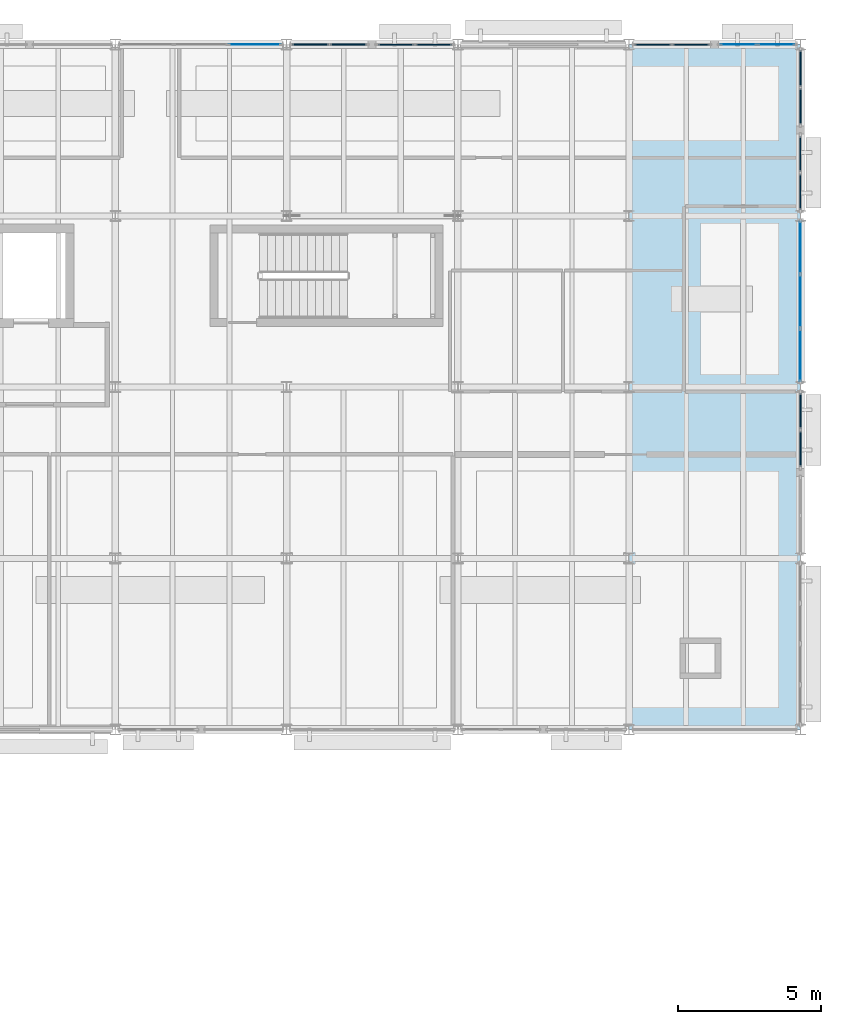
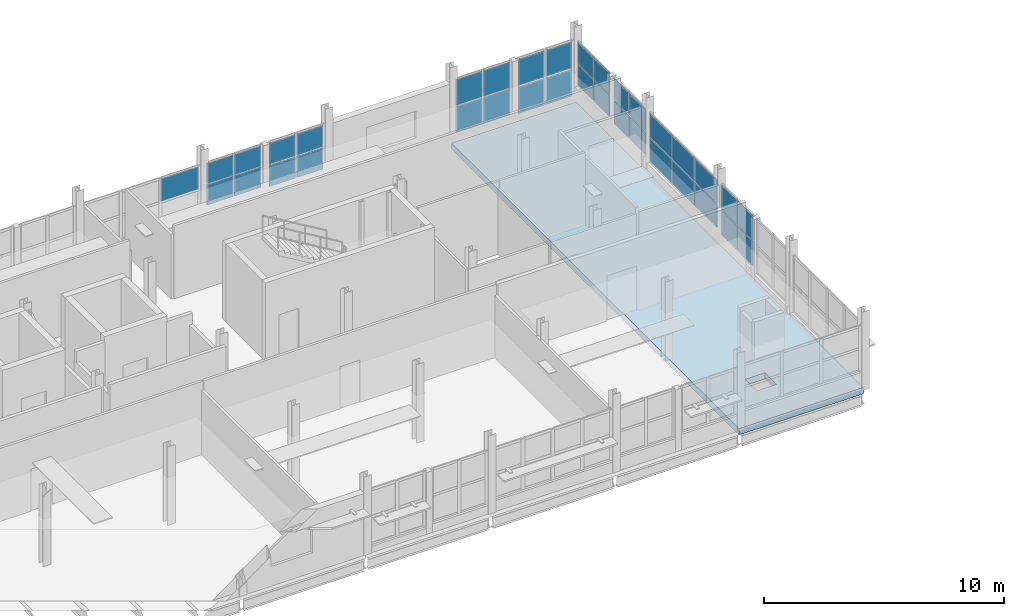
# One storey, part 51 of 92: 35 plates, 1 slab, 9 elements without a shape of their own.
"""IFC4 building model written with IfcOpenShell, lengths in metres."""

from ifc_helpers import new_model, si_unit, direction, frame, origin, origin_2d, place, context, subcontext, project, spatial, polyline, rectangle, outline, extrude, material, layer, layer_set, type_object, element, aggregate, save


model = new_model("IFC4")

# Units and contexts
model_context = context("Model", 3, precision=1e-05, world=origin(), true_north=direction((0.0, 1.0)))
body_context = subcontext(model_context, "Body", "Model", "MODEL_VIEW")
ifc_project = project(units=[si_unit("LENGTHUNIT", "METRE"), si_unit("AREAUNIT", "SQUARE_METRE"), si_unit("VOLUMEUNIT", "CUBIC_METRE"), si_unit("PLANEANGLEUNIT", "RADIAN"), si_unit("MASSUNIT", "GRAM", prefix="KILO")], contexts=[model_context])

# Site, building, storey
site_placement = place(None, origin())
site = spatial("IfcSite", under=ifc_project, at=site_placement, CompositionType="ELEMENT")
building_placement = place(site_placement, origin())
building = spatial("IfcBuilding", under=site, at=building_placement, Name="Siltcreek Boulevard Central Fire Station", CompositionType="ELEMENT")
storey_placement = place(building_placement, frame((0.0, 0.0, 6.0)))
storey = spatial("IfcBuildingStorey", under=building, at=storey_placement, Name="L02", CompositionType="ELEMENT", Elevation=6.0)

# Curtain wall, plate
ifc_material_1 = material(Name="Anodized aluminum and low-E insulated glazing", Category="aluminium")
curtain_wall_type_1 = type_object("IfcCurtainWallType", Name="CW_SYS_16", PredefinedType="USERDEFINED", material=ifc_material_1)
curtain_wall_1_placement = place(storey_placement, origin())
curtain_wall_1 = element("IfcCurtainWall", 1, at=curtain_wall_1_placement, inside=storey, type_object=curtain_wall_type_1, Name="L02 V5 unitised curtain wall CW-135", ObjectType="CURTAIN WALL", PredefinedType="USERDEFINED")
ifc_material_2 = material(Name="Low-E double insulated glass unit", Category="glass")
ifc_layer_1 = layer(ifc_material_2, 0.028076171875, Name="Low-E double insulated glass unit")
ifc_layer_set_1 = layer_set([ifc_layer_1], Name="Low-E double insulated glass unit")
plate_type_1 = type_object("IfcPlateType", Name="CWP_GLZ_1", PredefinedType="CURTAIN_PANEL", material=ifc_layer_set_1)
plate_1_placement = place(storey_placement, frame((147.08837890625, 112.199951171875, 1.946533203125), z_axis=(0.0, 0.0, 1.0), x_axis=(-1.0, 0.0, 0.0)))
plate_1 = element("IfcPlate", 2, at=plate_1_placement, type_object=plate_type_1, Name="CW-135 panel 1.2", PredefinedType="CURTAIN_PANEL", context=body_context, shape_type="SweptSolid", body=[
    extrude(rectangle(XDim=1.813232421875, YDim=0.028076171875, at=origin_2d()), origin(), (0.0, 0.0, 1.0), 1.146484375),
])
aggregate(curtain_wall_1, [plate_1])

# Curtain wall, plates
curtain_wall_type_2 = type_object("IfcCurtainWallType", Name="CW_SYS_19", PredefinedType="USERDEFINED", material=ifc_material_1)
curtain_wall_2_placement = place(storey_placement, origin())
curtain_wall_2 = element("IfcCurtainWall", 3, at=curtain_wall_2_placement, inside=storey, type_object=curtain_wall_type_2, Name="L02 V5 unitised curtain wall CW-138", ObjectType="CURTAIN WALL", PredefinedType="USERDEFINED")
plate_2_placement = place(storey_placement, frame((165.360107421875, 112.199951171875, 0.385009765625), z_axis=(0.0, 0.0, 1.0), x_axis=(-1.0, 0.0, 0.0)))
plate_2 = element("IfcPlate", 4, at=plate_2_placement, type_object=plate_type_1, Name="CW-138 panel 1.1", PredefinedType="CURTAIN_PANEL", context=body_context, shape_type="SweptSolid", body=[
    extrude(rectangle(XDim=1.260009765625, YDim=0.028076171875, at=origin_2d()), origin(), (0.0, 0.0, 1.0), 1.35400390625),
])
plate_3_placement = place(storey_placement, frame((165.360107421875, 112.199951171875, 1.803955078125), z_axis=(0.0, 0.0, 1.0), x_axis=(-1.0, 0.0, 0.0)))
plate_3 = element("IfcPlate", 5, at=plate_3_placement, type_object=plate_type_1, Name="CW-138 panel 1.2", PredefinedType="CURTAIN_PANEL", context=body_context, shape_type="SweptSolid", body=[
    extrude(rectangle(XDim=1.260009765625, YDim=0.028076171875, at=origin_2d()), origin(), (0.0, 0.0, 1.0), 1.35400390625),
])
plate_4_placement = place(storey_placement, frame((164.034912109375, 112.199951171875, 0.385009765625), z_axis=(0.0, 0.0, 1.0), x_axis=(-1.0, 0.0, 0.0)))
plate_4 = element("IfcPlate", 6, at=plate_4_placement, type_object=plate_type_1, Name="CW-138 panel 2.1", PredefinedType="CURTAIN_PANEL", context=body_context, shape_type="SweptSolid", body=[
    extrude(rectangle(XDim=1.260009765625, YDim=0.028076171875, at=origin_2d()), origin(), (0.0, 0.0, 1.0), 1.35400390625),
])
plate_5_placement = place(storey_placement, frame((164.034912109375, 112.199951171875, 1.803955078125), z_axis=(0.0, 0.0, 1.0), x_axis=(-1.0, 0.0, 0.0)))
plate_5 = element("IfcPlate", 7, at=plate_5_placement, type_object=plate_type_1, Name="CW-138 panel 2.2", PredefinedType="CURTAIN_PANEL", context=body_context, shape_type="SweptSolid", body=[
    extrude(rectangle(XDim=1.260009765625, YDim=0.028076171875, at=origin_2d()), origin(), (0.0, 0.0, 1.0), 1.35400390625),
])
aggregate(curtain_wall_2, [plate_2, plate_3, plate_4, plate_5])

curtain_wall_type_3 = type_object("IfcCurtainWallType", Name="CW_SYS_28", PredefinedType="USERDEFINED", material=ifc_material_1)
curtain_wall_3_placement = place(storey_placement, origin())
curtain_wall_3 = element("IfcCurtainWall", 8, at=curtain_wall_3_placement, inside=storey, type_object=curtain_wall_type_3, Name="L02 V5 unitised curtain wall CW-147", ObjectType="CURTAIN WALL", PredefinedType="USERDEFINED")
plate_6_placement = place(storey_placement, frame((166.199951171875, 101.311767578125, 0.739990234375), z_axis=(0.0, 0.0, 1.0), x_axis=(0.0, 1.0, 0.0)))
plate_6 = element("IfcPlate", 9, at=plate_6_placement, type_object=plate_type_1, Name="CW-147 panel 1.1", PredefinedType="CURTAIN_PANEL", context=body_context, shape_type="SweptSolid", body=[
    extrude(rectangle(XDim=1.813232421875, YDim=0.028076171875, at=origin_2d()), origin(), (0.0, 0.0, 1.0), 1.18359375),
])
plate_7_placement = place(storey_placement, frame((166.199951171875, 101.311767578125, 1.9833984375), z_axis=(0.0, 0.0, 1.0), x_axis=(0.0, 1.0, 0.0)))
plate_7 = element("IfcPlate", 10, at=plate_7_placement, type_object=plate_type_1, Name="CW-147 panel 1.2", PredefinedType="CURTAIN_PANEL", context=body_context, shape_type="SweptSolid", body=[
    extrude(rectangle(XDim=1.813232421875, YDim=0.028076171875, at=origin_2d()), origin(), (0.0, 0.0, 1.0), 1.18359375),
])
plate_8_placement = place(storey_placement, frame((166.199951171875, 103.199951171875, 0.739990234375), z_axis=(0.0, 0.0, 1.0), x_axis=(0.0, 1.0, 0.0)))
plate_8 = element("IfcPlate", 11, at=plate_8_placement, type_object=plate_type_1, Name="CW-147 panel 2.1", PredefinedType="CURTAIN_PANEL", context=body_context, shape_type="SweptSolid", body=[
    extrude(rectangle(XDim=1.84326171875, YDim=0.028076171875, at=origin_2d()), origin(), (0.0, 0.0, 1.0), 1.18359375),
])
plate_9_placement = place(storey_placement, frame((166.199951171875, 103.199951171875, 1.9833984375), z_axis=(0.0, 0.0, 1.0), x_axis=(0.0, 1.0, 0.0)))
plate_9 = element("IfcPlate", 12, at=plate_9_placement, type_object=plate_type_1, Name="CW-147 panel 2.2", PredefinedType="CURTAIN_PANEL", context=body_context, shape_type="SweptSolid", body=[
    extrude(rectangle(XDim=1.84326171875, YDim=0.028076171875, at=origin_2d()), origin(), (0.0, 0.0, 1.0), 1.18359375),
])
plate_10_placement = place(storey_placement, frame((166.199951171875, 105.08837890625, 0.739990234375), z_axis=(0.0, 0.0, 1.0), x_axis=(0.0, 1.0, 0.0)))
plate_10 = element("IfcPlate", 13, at=plate_10_placement, type_object=plate_type_1, Name="CW-147 panel 3.1", PredefinedType="CURTAIN_PANEL", context=body_context, shape_type="SweptSolid", body=[
    extrude(rectangle(XDim=1.813232421875, YDim=0.028076171875, at=origin_2d()), origin(), (0.0, 0.0, 1.0), 1.18359375),
])
plate_11_placement = place(storey_placement, frame((166.199951171875, 105.08837890625, 1.9833984375), z_axis=(0.0, 0.0, 1.0), x_axis=(0.0, 1.0, 0.0)))
plate_11 = element("IfcPlate", 14, at=plate_11_placement, type_object=plate_type_1, Name="CW-147 panel 3.2", PredefinedType="CURTAIN_PANEL", context=body_context, shape_type="SweptSolid", body=[
    extrude(rectangle(XDim=1.813232421875, YDim=0.028076171875, at=origin_2d()), origin(), (0.0, 0.0, 1.0), 1.18359375),
])
aggregate(curtain_wall_3, [plate_6, plate_7, plate_8, plate_9, plate_10, plate_11])

curtain_wall_type_4 = type_object("IfcCurtainWallType", Name="CW_SYS_17", PredefinedType="USERDEFINED", material=ifc_material_1)
curtain_wall_4_placement = place(storey_placement, origin())
curtain_wall_4 = element("IfcCurtainWall", 15, at=curtain_wall_4_placement, inside=storey, type_object=curtain_wall_type_4, Name="L02 V5 unitised curtain wall CW-136", ObjectType="CURTAIN WALL", PredefinedType="USERDEFINED")
ifc_layer_2 = layer(ifc_material_2, 0.0380859375, Name="Low-E double insulated glass unit")
ifc_layer_set_2 = layer_set([ifc_layer_2], Name="Low-E double insulated glass unit")
plate_type_2 = type_object("IfcPlateType", Name="CWP_GLZ_2", PredefinedType="CURTAIN_PANEL", material=ifc_layer_set_2)
plate_12_placement = place(storey_placement, frame((153.360107421875, 112.199951171875, 0.864990234375), z_axis=(0.0, 0.0, 1.0), x_axis=(-1.0, 0.0, 0.0)))
plate_12 = element("IfcPlate", 16, at=plate_12_placement, type_object=plate_type_2, Name="CW-136 panel 1.1", PredefinedType="CURTAIN_PANEL", context=body_context, shape_type="SweptSolid", body=[
    extrude(rectangle(XDim=1.260009765625, YDim=0.0380859375, at=origin_2d()), origin(), (0.0, 0.0, 1.0), 1.0791015625),
])
plate_13_placement = place(storey_placement, frame((153.360107421875, 112.199951171875, 2.009033203125), z_axis=(0.0, 0.0, 1.0), x_axis=(-1.0, 0.0, 0.0)))
plate_13 = element("IfcPlate", 17, at=plate_13_placement, type_object=plate_type_2, Name="CW-136 panel 1.2", PredefinedType="CURTAIN_PANEL", context=body_context, shape_type="SweptSolid", body=[
    extrude(rectangle(XDim=1.260009765625, YDim=0.0380859375, at=origin_2d()), origin(), (0.0, 0.0, 1.0), 1.0791015625),
])
plate_14_placement = place(storey_placement, frame((152.034912109375, 112.199951171875, 0.864990234375), z_axis=(0.0, 0.0, 1.0), x_axis=(-1.0, 0.0, 0.0)))
plate_14 = element("IfcPlate", 18, at=plate_14_placement, type_object=plate_type_2, Name="CW-136 panel 2.1", PredefinedType="CURTAIN_PANEL", context=body_context, shape_type="SweptSolid", body=[
    extrude(rectangle(XDim=1.260009765625, YDim=0.0380859375, at=origin_2d()), origin(), (0.0, 0.0, 1.0), 1.0791015625),
])
plate_15_placement = place(storey_placement, frame((152.034912109375, 112.199951171875, 2.009033203125), z_axis=(0.0, 0.0, 1.0), x_axis=(-1.0, 0.0, 0.0)))
plate_15 = element("IfcPlate", 19, at=plate_15_placement, type_object=plate_type_2, Name="CW-136 panel 2.2", PredefinedType="CURTAIN_PANEL", context=body_context, shape_type="SweptSolid", body=[
    extrude(rectangle(XDim=1.260009765625, YDim=0.0380859375, at=origin_2d()), origin(), (0.0, 0.0, 1.0), 1.0791015625),
])
aggregate(curtain_wall_4, [plate_12, plate_13, plate_14, plate_15])

curtain_wall_type_5 = type_object("IfcCurtainWallType", Name="CW_SYS_20", PredefinedType="USERDEFINED", material=ifc_material_1)
curtain_wall_5_placement = place(storey_placement, origin())
curtain_wall_5 = element("IfcCurtainWall", 20, at=curtain_wall_5_placement, inside=storey, type_object=curtain_wall_type_5, Name="L02 V5 unitised curtain wall CW-139", ObjectType="CURTAIN WALL", PredefinedType="USERDEFINED")
plate_16_placement = place(storey_placement, frame((162.3662109375, 112.199951171875, 0.5), z_axis=(0.0, 0.0, 1.0), x_axis=(-1.0, 0.0, 0.0)))
plate_16 = element("IfcPlate", 21, at=plate_16_placement, type_object=plate_type_2, Name="CW-139 panel 1.1", PredefinedType="CURTAIN_PANEL", context=body_context, shape_type="SweptSolid", body=[
    extrude(rectangle(XDim=1.267578125, YDim=0.0380859375, at=origin_2d()), origin(), (0.0, 0.0, 1.0), 1.301513671875),
])
plate_17_placement = place(storey_placement, frame((162.3662109375, 112.199951171875, 1.861328125), z_axis=(0.0, 0.0, 1.0), x_axis=(-1.0, 0.0, 0.0)))
plate_17 = element("IfcPlate", 22, at=plate_17_placement, type_object=plate_type_2, Name="CW-139 panel 1.2", PredefinedType="CURTAIN_PANEL", context=body_context, shape_type="SweptSolid", body=[
    extrude(rectangle(XDim=1.267578125, YDim=0.0380859375, at=origin_2d()), origin(), (0.0, 0.0, 1.0), 1.301513671875),
])
plate_18_placement = place(storey_placement, frame((161.038818359375, 112.199951171875, 0.5), z_axis=(0.0, 0.0, 1.0), x_axis=(-1.0, 0.0, 0.0)))
plate_18 = element("IfcPlate", 23, at=plate_18_placement, type_object=plate_type_2, Name="CW-139 panel 2.1", PredefinedType="CURTAIN_PANEL", context=body_context, shape_type="SweptSolid", body=[
    extrude(rectangle(XDim=1.267578125, YDim=0.0380859375, at=origin_2d()), origin(), (0.0, 0.0, 1.0), 1.301513671875),
])
plate_19_placement = place(storey_placement, frame((161.038818359375, 112.199951171875, 1.861328125), z_axis=(0.0, 0.0, 1.0), x_axis=(-1.0, 0.0, 0.0)))
plate_19 = element("IfcPlate", 24, at=plate_19_placement, type_object=plate_type_2, Name="CW-139 panel 2.2", PredefinedType="CURTAIN_PANEL", context=body_context, shape_type="SweptSolid", body=[
    extrude(rectangle(XDim=1.267578125, YDim=0.0380859375, at=origin_2d()), origin(), (0.0, 0.0, 1.0), 1.301513671875),
])
aggregate(curtain_wall_5, [plate_16, plate_17, plate_18, plate_19])

curtain_wall_type_6 = type_object("IfcCurtainWallType", Name="CW_SYS_29", PredefinedType="USERDEFINED", material=ifc_material_1)
curtain_wall_6_placement = place(storey_placement, origin())
curtain_wall_6 = element("IfcCurtainWall", 25, at=curtain_wall_6_placement, inside=storey, type_object=curtain_wall_type_6, Name="L02 V5 unitised curtain wall CW-148", ObjectType="CURTAIN WALL", PredefinedType="USERDEFINED")
plate_20_placement = place(storey_placement, frame((166.199951171875, 107.0400390625, 0.865234375), z_axis=(0.0, 0.0, 1.0), x_axis=(0.0, 1.0, 0.0)))
plate_20 = element("IfcPlate", 26, at=plate_20_placement, type_object=plate_type_2, Name="CW-148 panel 1.1", PredefinedType="CURTAIN_PANEL", context=body_context, shape_type="SweptSolid", body=[
    extrude(rectangle(XDim=1.260009765625, YDim=0.0380859375, at=origin_2d()), origin(), (0.0, 0.0, 1.0), 1.115966796875),
])
plate_21_placement = place(storey_placement, frame((166.199951171875, 107.0400390625, 2.0458984375), z_axis=(0.0, 0.0, 1.0), x_axis=(0.0, 1.0, 0.0)))
plate_21 = element("IfcPlate", 27, at=plate_21_placement, type_object=plate_type_2, Name="CW-148 panel 1.2", PredefinedType="CURTAIN_PANEL", context=body_context, shape_type="SweptSolid", body=[
    extrude(rectangle(XDim=1.260009765625, YDim=0.0380859375, at=origin_2d()), origin(), (0.0, 0.0, 1.0), 1.115966796875),
])
plate_22_placement = place(storey_placement, frame((166.199951171875, 108.364990234375, 0.865234375), z_axis=(0.0, 0.0, 1.0), x_axis=(0.0, 1.0, 0.0)))
plate_22 = element("IfcPlate", 28, at=plate_22_placement, type_object=plate_type_2, Name="CW-148 panel 2.1", PredefinedType="CURTAIN_PANEL", context=body_context, shape_type="SweptSolid", body=[
    extrude(rectangle(XDim=1.260009765625, YDim=0.0380859375, at=origin_2d()), origin(), (0.0, 0.0, 1.0), 1.115966796875),
])
plate_23_placement = place(storey_placement, frame((166.199951171875, 108.364990234375, 2.0458984375), z_axis=(0.0, 0.0, 1.0), x_axis=(0.0, 1.0, 0.0)))
plate_23 = element("IfcPlate", 29, at=plate_23_placement, type_object=plate_type_2, Name="CW-148 panel 2.2", PredefinedType="CURTAIN_PANEL", context=body_context, shape_type="SweptSolid", body=[
    extrude(rectangle(XDim=1.260009765625, YDim=0.0380859375, at=origin_2d()), origin(), (0.0, 0.0, 1.0), 1.115966796875),
])
aggregate(curtain_wall_6, [plate_20, plate_21, plate_22, plate_23])

curtain_wall_type_7 = type_object("IfcCurtainWallType", Name="CW_SYS_18", PredefinedType="USERDEFINED", material=ifc_material_1)
curtain_wall_7_placement = place(storey_placement, origin())
curtain_wall_7 = element("IfcCurtainWall", 30, at=curtain_wall_7_placement, inside=storey, type_object=curtain_wall_type_7, Name="L02 V5 unitised curtain wall CW-137", ObjectType="CURTAIN WALL", PredefinedType="USERDEFINED")
ifc_layer_3 = layer(ifc_material_2, 0.048095703125, Name="Low-E double insulated glass unit")
ifc_layer_set_3 = layer_set([ifc_layer_3], Name="Low-E double insulated glass unit")
plate_type_3 = type_object("IfcPlateType", Name="CWP_GLZ_3", PredefinedType="CURTAIN_PANEL", material=ifc_layer_set_3)
plate_24_placement = place(storey_placement, frame((150.3662109375, 112.199951171875, 0.97998046875), z_axis=(0.0, 0.0, 1.0), x_axis=(-1.0, 0.0, 0.0)))
plate_24 = element("IfcPlate", 31, at=plate_24_placement, type_object=plate_type_3, Name="CW-137 panel 1.1", PredefinedType="CURTAIN_PANEL", context=body_context, shape_type="SweptSolid", body=[
    extrude(rectangle(XDim=1.267578125, YDim=0.048095703125, at=origin_2d()), origin(), (0.0, 0.0, 1.0), 1.026611328125),
])
plate_25_placement = place(storey_placement, frame((150.3662109375, 112.199951171875, 2.06640625), z_axis=(0.0, 0.0, 1.0), x_axis=(-1.0, 0.0, 0.0)))
plate_25 = element("IfcPlate", 32, at=plate_25_placement, type_object=plate_type_3, Name="CW-137 panel 1.2", PredefinedType="CURTAIN_PANEL", context=body_context, shape_type="SweptSolid", body=[
    extrude(rectangle(XDim=1.267578125, YDim=0.048095703125, at=origin_2d()), origin(), (0.0, 0.0, 1.0), 1.026611328125),
])
plate_26_placement = place(storey_placement, frame((149.038818359375, 112.199951171875, 0.97998046875), z_axis=(0.0, 0.0, 1.0), x_axis=(-1.0, 0.0, 0.0)))
plate_26 = element("IfcPlate", 33, at=plate_26_placement, type_object=plate_type_3, Name="CW-137 panel 2.1", PredefinedType="CURTAIN_PANEL", context=body_context, shape_type="SweptSolid", body=[
    extrude(rectangle(XDim=1.267578125, YDim=0.048095703125, at=origin_2d()), origin(), (0.0, 0.0, 1.0), 1.026611328125),
])
plate_27_placement = place(storey_placement, frame((149.038818359375, 112.199951171875, 2.06640625), z_axis=(0.0, 0.0, 1.0), x_axis=(-1.0, 0.0, 0.0)))
plate_27 = element("IfcPlate", 34, at=plate_27_placement, type_object=plate_type_3, Name="CW-137 panel 2.2", PredefinedType="CURTAIN_PANEL", context=body_context, shape_type="SweptSolid", body=[
    extrude(rectangle(XDim=1.267578125, YDim=0.048095703125, at=origin_2d()), origin(), (0.0, 0.0, 1.0), 1.026611328125),
])
aggregate(curtain_wall_7, [plate_24, plate_25, plate_26, plate_27])

curtain_wall_type_8 = type_object("IfcCurtainWallType", Name="CW_SYS_27", PredefinedType="USERDEFINED", material=ifc_material_1)
curtain_wall_8_placement = place(storey_placement, origin())
curtain_wall_8 = element("IfcCurtainWall", 35, at=curtain_wall_8_placement, inside=storey, type_object=curtain_wall_type_8, Name="L02 V5 unitised curtain wall CW-146", ObjectType="CURTAIN WALL", PredefinedType="USERDEFINED")
plate_28_placement = place(storey_placement, frame((166.199951171875, 98.034912109375, 0.625), z_axis=(0.0, 0.0, 1.0), x_axis=(0.0, 1.0, 0.0)))
plate_28 = element("IfcPlate", 36, at=plate_28_placement, type_object=plate_type_3, Name="CW-146 panel 1.1", PredefinedType="CURTAIN_PANEL", context=body_context, shape_type="SweptSolid", body=[
    extrude(rectangle(XDim=1.260009765625, YDim=0.048095703125, at=origin_2d()), origin(), (0.0, 0.0, 1.0), 1.236083984375),
])
plate_29_placement = place(storey_placement, frame((166.199951171875, 98.034912109375, 1.92578125), z_axis=(0.0, 0.0, 1.0), x_axis=(0.0, 1.0, 0.0)))
plate_29 = element("IfcPlate", 37, at=plate_29_placement, type_object=plate_type_3, Name="CW-146 panel 1.2", PredefinedType="CURTAIN_PANEL", context=body_context, shape_type="SweptSolid", body=[
    extrude(rectangle(XDim=1.260009765625, YDim=0.048095703125, at=origin_2d()), origin(), (0.0, 0.0, 1.0), 1.236083984375),
])
plate_30_placement = place(storey_placement, frame((166.199951171875, 99.360107421875, 0.625), z_axis=(0.0, 0.0, 1.0), x_axis=(0.0, 1.0, 0.0)))
plate_30 = element("IfcPlate", 38, at=plate_30_placement, type_object=plate_type_3, Name="CW-146 panel 2.1", PredefinedType="CURTAIN_PANEL", context=body_context, shape_type="SweptSolid", body=[
    extrude(rectangle(XDim=1.260009765625, YDim=0.048095703125, at=origin_2d()), origin(), (0.0, 0.0, 1.0), 1.236083984375),
])
plate_31_placement = place(storey_placement, frame((166.199951171875, 99.360107421875, 1.92578125), z_axis=(0.0, 0.0, 1.0), x_axis=(0.0, 1.0, 0.0)))
plate_31 = element("IfcPlate", 39, at=plate_31_placement, type_object=plate_type_3, Name="CW-146 panel 2.2", PredefinedType="CURTAIN_PANEL", context=body_context, shape_type="SweptSolid", body=[
    extrude(rectangle(XDim=1.260009765625, YDim=0.048095703125, at=origin_2d()), origin(), (0.0, 0.0, 1.0), 1.236083984375),
])
aggregate(curtain_wall_8, [plate_28, plate_29, plate_30, plate_31])

curtain_wall_type_9 = type_object("IfcCurtainWallType", Name="CW_SYS_30", PredefinedType="USERDEFINED", material=ifc_material_1)
curtain_wall_9_placement = place(storey_placement, origin())
curtain_wall_9 = element("IfcCurtainWall", 40, at=curtain_wall_9_placement, inside=storey, type_object=curtain_wall_type_9, Name="L02 V5 unitised curtain wall CW-149", ObjectType="CURTAIN WALL", PredefinedType="USERDEFINED")
plate_32_placement = place(storey_placement, frame((166.199951171875, 110.03369140625, 0.97998046875), z_axis=(0.0, 0.0, 1.0), x_axis=(0.0, 1.0, 0.0)))
plate_32 = element("IfcPlate", 41, at=plate_32_placement, type_object=plate_type_3, Name="CW-149 panel 1.1", PredefinedType="CURTAIN_PANEL", context=body_context, shape_type="SweptSolid", body=[
    extrude(rectangle(XDim=1.267578125, YDim=0.048095703125, at=origin_2d()), origin(), (0.0, 0.0, 1.0), 1.0634765625),
])
plate_33_placement = place(storey_placement, frame((166.199951171875, 110.03369140625, 2.103515625), z_axis=(0.0, 0.0, 1.0), x_axis=(0.0, 1.0, 0.0)))
plate_33 = element("IfcPlate", 42, at=plate_33_placement, type_object=plate_type_3, Name="CW-149 panel 1.2", PredefinedType="CURTAIN_PANEL", context=body_context, shape_type="SweptSolid", body=[
    extrude(rectangle(XDim=1.267578125, YDim=0.048095703125, at=origin_2d()), origin(), (0.0, 0.0, 1.0), 1.0634765625),
])
plate_34_placement = place(storey_placement, frame((166.199951171875, 111.361328125, 0.97998046875), z_axis=(0.0, 0.0, 1.0), x_axis=(0.0, 1.0, 0.0)))
plate_34 = element("IfcPlate", 43, at=plate_34_placement, type_object=plate_type_3, Name="CW-149 panel 2.1", PredefinedType="CURTAIN_PANEL", context=body_context, shape_type="SweptSolid", body=[
    extrude(rectangle(XDim=1.267578125, YDim=0.048095703125, at=origin_2d()), origin(), (0.0, 0.0, 1.0), 1.0634765625),
])
plate_35_placement = place(storey_placement, frame((166.199951171875, 111.361328125, 2.103515625), z_axis=(0.0, 0.0, 1.0), x_axis=(0.0, 1.0, 0.0)))
plate_35 = element("IfcPlate", 44, at=plate_35_placement, type_object=plate_type_3, Name="CW-149 panel 2.2", PredefinedType="CURTAIN_PANEL", context=body_context, shape_type="SweptSolid", body=[
    extrude(rectangle(XDim=1.267578125, YDim=0.048095703125, at=origin_2d()), origin(), (0.0, 0.0, 1.0), 1.0634765625),
])
aggregate(curtain_wall_9, [plate_32, plate_33, plate_34, plate_35])

# Slab
ifc_material_3 = material(Name="Concrete C35/45", Category="concrete")
ifc_layer_4 = layer(ifc_material_3, 0.320068359375, Name="Concrete C35/45")
ifc_layer_set_4 = layer_set([ifc_layer_4], Name="Concrete C35/45")
slab_type = type_object("IfcSlabType", Name="SL_FLR320", PredefinedType="FLOOR", material=ifc_layer_set_4)
slab_placement = place(storey_placement, frame((0.0, 0.0, -0.320068359375)))
element("IfcSlab", 45, at=slab_placement, inside=storey, type_object=slab_type, Name="L02 V5 structural floor slab SL-030", PredefinedType="FLOOR", context=body_context, shape_type="SweptSolid", body=[
    extrude(outline(polyline([(166.199951171875, 112.199951171875), (166.199951171875, 88.199951171875), (160.199951171875, 88.199951171875), (160.199951171875, 112.199951171875), (166.199951171875, 112.199951171875)]), holes=[polyline([(163.179931640625, 91.179931640625), (162.219970703125, 91.179931640625), (162.219970703125, 90.219970703125), (163.179931640625, 90.219970703125), (163.179931640625, 91.179931640625)])]), origin(), (0.0, 0.0, 1.0), 0.320068359375),
])

save(model, "model.ifc")
